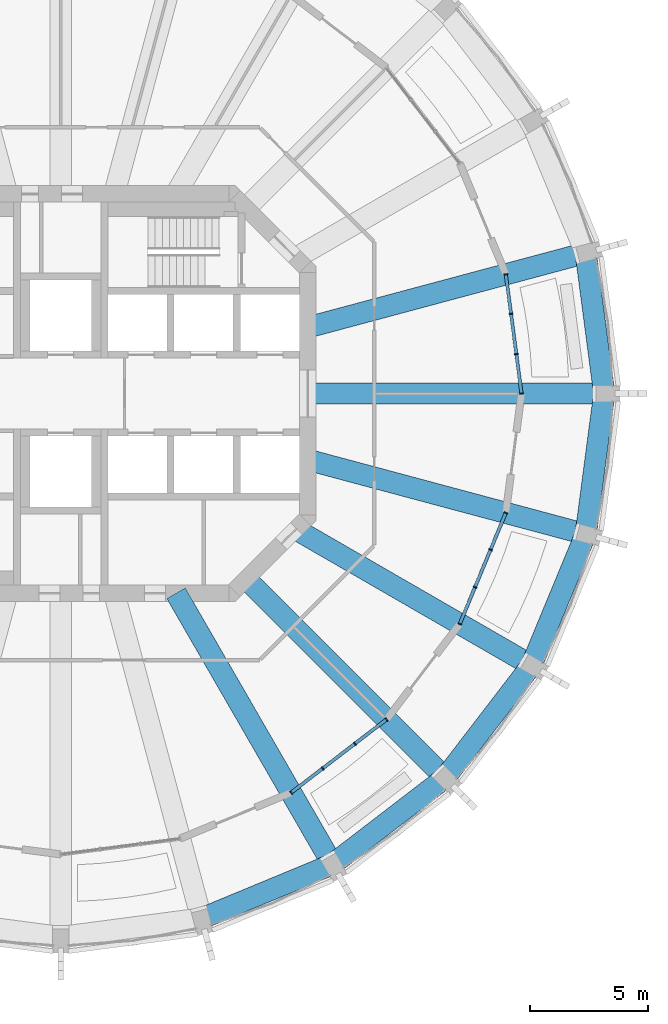
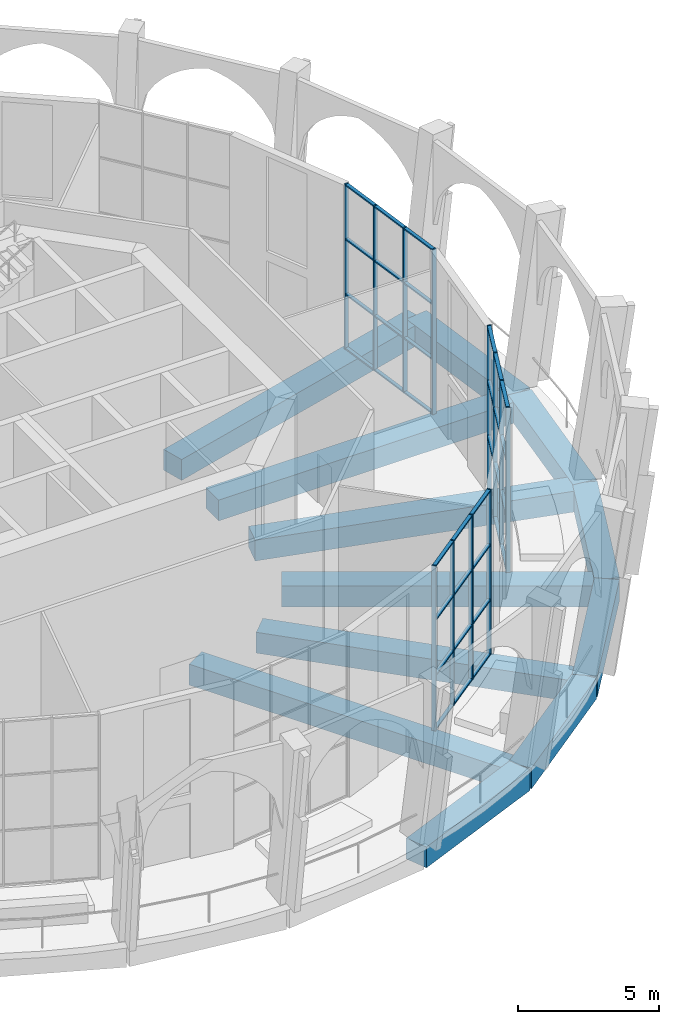
# One storey, part 4 of 16: 48 members, 12 beams, 3 elements without a shape of their own.
"""IFC4 building model written with IfcOpenShell, lengths in metres."""

from ifc_helpers import new_model, si_unit, direction, frame, origin, origin_2d, place, context, subcontext, project, spatial, rectangle, extrude, material, material_profile, profile_set, type_object, element, aggregate, save


model = new_model("IFC4")

# Units and contexts
model_context = context("Model", 3, precision=1e-05, world=origin(), true_north=direction((0.0, 1.0)))
body_context = subcontext(model_context, "Body", "Model", "MODEL_VIEW")
ifc_project = project(units=[si_unit("LENGTHUNIT", "METRE"), si_unit("AREAUNIT", "SQUARE_METRE"), si_unit("VOLUMEUNIT", "CUBIC_METRE"), si_unit("PLANEANGLEUNIT", "RADIAN"), si_unit("MASSUNIT", "GRAM", prefix="KILO")], contexts=[model_context])

# Site, building, storey
site_placement = place(None, origin())
site = spatial("IfcSite", under=ifc_project, at=site_placement, CompositionType="ELEMENT")
building_placement = place(site_placement, origin())
building = spatial("IfcBuilding", under=site, at=building_placement, Name="Torre Triforio", CompositionType="ELEMENT")
storey_placement = place(building_placement, frame((0.0, 0.0, 218.699951171875)))
storey = spatial("IfcBuildingStorey", under=building, at=storey_placement, Name="L50", CompositionType="ELEMENT", Elevation=218.699951171875)

# Curtain wall, members
ifc_material_1 = material(Name="Aluminium mullion and transom frame with clear laminated glass", Category="aluminium")
curtain_wall_type = type_object("IfcCurtainWallType", Name="Sky garden conservatory wall ECW3", PredefinedType="NOTDEFINED", material=ifc_material_1)
curtain_wall_1_placement = place(storey_placement, origin())
curtain_wall_1 = element("IfcCurtainWall", 1, at=curtain_wall_1_placement, inside=storey, type_object=curtain_wall_type, Name="Conservatory wall L50 bay 01", PredefinedType="NOTDEFINED")
ifc_material_2 = material(Name="Anodised aluminium extrusion", Category="aluminium")
ifc_material_profile_1 = material_profile(ifc_material_2, rectangle(XDim=0.159912109375, YDim=0.06005859375, at=origin_2d()), Name="ECW3 MULLION 60x160")
ifc_profile_set_1 = profile_set([ifc_material_profile_1], Name="Anodised aluminium extrusion")
member_type_1 = type_object("IfcMemberType", Name="ECW3 mullion 60 x 160", PredefinedType="MULLION", material=ifc_profile_set_1)
member_1_placement = place(storey_placement, frame((19.5, 0.0, 0.0), z_axis=(0.0, 0.0, 1.0), x_axis=(-0.991444115465, -0.130531857834, 0.0)))
member_1 = element("IfcMember", 2, at=member_1_placement, type_object=member_type_1, Name="ECW3 mullion 1", PredefinedType="MULLION", context=body_context, shape_type="SweptSolid", body=[
    extrude(rectangle(XDim=0.159912109375, YDim=0.06005859375, at=origin_2d()), origin(), (0.0, 0.0, 1.0), 7.1201171875),
])
member_2_placement = place(storey_placement, frame((19.27978515625, 1.67236328125, 0.0), z_axis=(0.0, 0.0, 1.0), x_axis=(-0.991444115465, -0.130531857834, 0.0)))
member_2 = element("IfcMember", 3, at=member_2_placement, type_object=member_type_1, Name="ECW3 mullion 2", PredefinedType="MULLION", context=body_context, shape_type="SweptSolid", body=[
    extrude(rectangle(XDim=0.159912109375, YDim=0.06005859375, at=origin_2d()), origin(), (0.0, 0.0, 1.0), 7.1201171875),
])
member_3_placement = place(storey_placement, frame((19.0556640625, 3.37451171875, 0.0), z_axis=(0.0, 0.0, 1.0), x_axis=(-0.991444115465, -0.130531857834, 0.0)))
member_3 = element("IfcMember", 4, at=member_3_placement, type_object=member_type_1, Name="ECW3 mullion 3", PredefinedType="MULLION", context=body_context, shape_type="SweptSolid", body=[
    extrude(rectangle(XDim=0.159912109375, YDim=0.06005859375, at=origin_2d()), origin(), (0.0, 0.0, 1.0), 7.1201171875),
])
member_4_placement = place(storey_placement, frame((18.83544921875, 5.046875, 0.0), z_axis=(0.0, 0.0, 1.0), x_axis=(-0.991444115465, -0.130531857834, 0.0)))
member_4 = element("IfcMember", 5, at=member_4_placement, type_object=member_type_1, Name="ECW3 mullion 4", PredefinedType="MULLION", context=body_context, shape_type="SweptSolid", body=[
    extrude(rectangle(XDim=0.159912109375, YDim=0.06005859375, at=origin_2d()), origin(), (0.0, 0.0, 1.0), 7.1201171875),
])

curtain_wall_2_placement = place(storey_placement, origin())
curtain_wall_2 = element("IfcCurtainWall", 6, at=curtain_wall_2_placement, inside=storey, type_object=curtain_wall_type, Name="Conservatory wall L50 bay 21", PredefinedType="NOTDEFINED")
member_5_placement = place(storey_placement, frame((9.75, -16.887451171875, 0.0), z_axis=(0.0, 0.0, 1.0), x_axis=(-0.608767351111, 0.793348796067, 0.0)))
member_5 = element("IfcMember", 7, at=member_5_placement, type_object=member_type_1, Name="ECW3 mullion 1", PredefinedType="MULLION", context=body_context, shape_type="SweptSolid", body=[
    extrude(rectangle(XDim=0.159912109375, YDim=0.06005859375, at=origin_2d()), origin(), (0.0, 0.0, 1.0), 7.1201171875),
])
member_6_placement = place(storey_placement, frame((11.08837890625, -15.860595703125, 0.0), z_axis=(0.0, 0.0, 1.0), x_axis=(-0.608767351111, 0.793348796067, 0.0)))
member_6 = element("IfcMember", 8, at=member_6_placement, type_object=member_type_1, Name="ECW3 mullion 2", PredefinedType="MULLION", context=body_context, shape_type="SweptSolid", body=[
    extrude(rectangle(XDim=0.159912109375, YDim=0.06005859375, at=origin_2d()), origin(), (0.0, 0.0, 1.0), 7.1201171875),
])
member_7_placement = place(storey_placement, frame((12.450439453125, -14.8154296875, 0.0), z_axis=(0.0, 0.0, 1.0), x_axis=(-0.608767351111, 0.793348796067, 0.0)))
member_7 = element("IfcMember", 9, at=member_7_placement, type_object=member_type_1, Name="ECW3 mullion 3", PredefinedType="MULLION", context=body_context, shape_type="SweptSolid", body=[
    extrude(rectangle(XDim=0.159912109375, YDim=0.06005859375, at=origin_2d()), origin(), (0.0, 0.0, 1.0), 7.1201171875),
])
member_8_placement = place(storey_placement, frame((13.78857421875, -13.78857421875, 0.0), z_axis=(0.0, 0.0, 1.0), x_axis=(-0.608767351111, 0.793348796067, 0.0)))
member_8 = element("IfcMember", 10, at=member_8_placement, type_object=member_type_1, Name="ECW3 mullion 4", PredefinedType="MULLION", context=body_context, shape_type="SweptSolid", body=[
    extrude(rectangle(XDim=0.159912109375, YDim=0.06005859375, at=origin_2d()), origin(), (0.0, 0.0, 1.0), 7.1201171875),
])

curtain_wall_3_placement = place(storey_placement, origin())
curtain_wall_3 = element("IfcCurtainWall", 11, at=curtain_wall_3_placement, inside=storey, type_object=curtain_wall_type, Name="Conservatory wall L50 bay 23", PredefinedType="NOTDEFINED")
member_9_placement = place(storey_placement, frame((16.887451171875, -9.75, 0.0), z_axis=(0.0, 0.0, 1.0), x_axis=(-0.923879107955, 0.382684457334, 0.0)))
member_9 = element("IfcMember", 12, at=member_9_placement, type_object=member_type_1, Name="ECW3 mullion 1", PredefinedType="MULLION", context=body_context, shape_type="SweptSolid", body=[
    extrude(rectangle(XDim=0.159912109375, YDim=0.06005859375, at=origin_2d()), origin(), (0.0, 0.0, 1.0), 7.1201171875),
])
member_10_placement = place(storey_placement, frame((17.532958984375, -8.191650390625, 0.0), z_axis=(0.0, 0.0, 1.0), x_axis=(-0.923879107955, 0.382684457334, 0.0)))
member_10 = element("IfcMember", 13, at=member_10_placement, type_object=member_type_1, Name="ECW3 mullion 2", PredefinedType="MULLION", context=body_context, shape_type="SweptSolid", body=[
    extrude(rectangle(XDim=0.159912109375, YDim=0.06005859375, at=origin_2d()), origin(), (0.0, 0.0, 1.0), 7.1201171875),
])
member_11_placement = place(storey_placement, frame((18.18994140625, -6.60546875, 0.0), z_axis=(0.0, 0.0, 1.0), x_axis=(-0.923879107955, 0.382684457334, 0.0)))
member_11 = element("IfcMember", 14, at=member_11_placement, type_object=member_type_1, Name="ECW3 mullion 3", PredefinedType="MULLION", context=body_context, shape_type="SweptSolid", body=[
    extrude(rectangle(XDim=0.159912109375, YDim=0.06005859375, at=origin_2d()), origin(), (0.0, 0.0, 1.0), 7.1201171875),
])
member_12_placement = place(storey_placement, frame((18.83544921875, -5.047119140625, 0.0), z_axis=(0.0, 0.0, 1.0), x_axis=(-0.923879107955, 0.382684457334, 0.0)))
member_12 = element("IfcMember", 15, at=member_12_placement, type_object=member_type_1, Name="ECW3 mullion 4", PredefinedType="MULLION", context=body_context, shape_type="SweptSolid", body=[
    extrude(rectangle(XDim=0.159912109375, YDim=0.06005859375, at=origin_2d()), origin(), (0.0, 0.0, 1.0), 7.1201171875),
])

# Member
ifc_material_profile_2 = material_profile(ifc_material_2, rectangle(XDim=0.139892578125, YDim=0.06005859375, at=origin_2d()), Name="ECW3 TRANSOM 60x140")
ifc_profile_set_2 = profile_set([ifc_material_profile_2], Name="Anodised aluminium extrusion")
member_type_2 = type_object("IfcMemberType", Name="ECW3 transom 60 x 140", PredefinedType="USERDEFINED", material=ifc_profile_set_2)
member_13_placement = place(storey_placement, frame((19.49609375, 0.02978515625, 0.030029296875), z_axis=(-0.130570980704, 0.991438963829, 0.0), x_axis=(-0.991438963829, -0.130570980704, 0.0)))
member_13 = element("IfcMember", 16, at=member_13_placement, type_object=member_type_2, Name="ECW3 transom 1.1", ObjectType="TRANSOM", PredefinedType="USERDEFINED", context=body_context, shape_type="SweptSolid", body=[
    extrude(rectangle(XDim=0.139892578125, YDim=0.06005859375, at=origin_2d()), origin(), (0.0, 0.0, 1.0), 1.626708984375),
])

member_14_placement = place(storey_placement, frame((19.49609375, 0.02978515625, 2.373291015625), z_axis=(-0.130570980704, 0.991438963829, 0.0), x_axis=(-0.991438963829, -0.130570980704, 0.0)))
member_14 = element("IfcMember", 17, at=member_14_placement, type_object=member_type_2, Name="ECW3 transom 1.2", ObjectType="TRANSOM", PredefinedType="USERDEFINED", context=body_context, shape_type="SweptSolid", body=[
    extrude(rectangle(XDim=0.139892578125, YDim=0.06005859375, at=origin_2d()), origin(), (0.0, 0.0, 1.0), 1.626708984375),
])

member_15_placement = place(storey_placement, frame((19.49609375, 0.02978515625, 4.746826171875), z_axis=(-0.130570980704, 0.991438963829, 0.0), x_axis=(-0.991438963829, -0.130570980704, 0.0)))
member_15 = element("IfcMember", 18, at=member_15_placement, type_object=member_type_2, Name="ECW3 transom 1.3", ObjectType="TRANSOM", PredefinedType="USERDEFINED", context=body_context, shape_type="SweptSolid", body=[
    extrude(rectangle(XDim=0.139892578125, YDim=0.06005859375, at=origin_2d()), origin(), (0.0, 0.0, 1.0), 1.626708984375),
])

member_16_placement = place(storey_placement, frame((19.49609375, 0.02978515625, 7.090087890625), z_axis=(-0.130570980704, 0.991438963829, 0.0), x_axis=(-0.991438963829, -0.130570980704, 0.0)))
member_16 = element("IfcMember", 19, at=member_16_placement, type_object=member_type_2, Name="ECW3 transom 1.4", ObjectType="TRANSOM", PredefinedType="USERDEFINED", context=body_context, shape_type="SweptSolid", body=[
    extrude(rectangle(XDim=0.139892578125, YDim=0.06005859375, at=origin_2d()), origin(), (0.0, 0.0, 1.0), 1.626708984375),
])

member_17_placement = place(storey_placement, frame((19.27587890625, 1.7021484375, 0.030029296875), z_axis=(-0.130561245228, 0.991440245927, 0.0), x_axis=(-0.991440245927, -0.130561245228, 0.0)))
member_17 = element("IfcMember", 20, at=member_17_placement, type_object=member_type_2, Name="ECW3 transom 2.1", ObjectType="TRANSOM", PredefinedType="USERDEFINED", context=body_context, shape_type="SweptSolid", body=[
    extrude(rectangle(XDim=0.139892578125, YDim=0.06005859375, at=origin_2d()), origin(), (0.0, 0.0, 1.0), 1.65673828125),
])

member_18_placement = place(storey_placement, frame((19.27587890625, 1.7021484375, 2.373291015625), z_axis=(-0.130561245228, 0.991440245927, 0.0), x_axis=(-0.991440245927, -0.130561245228, 0.0)))
member_18 = element("IfcMember", 21, at=member_18_placement, type_object=member_type_2, Name="ECW3 transom 2.2", ObjectType="TRANSOM", PredefinedType="USERDEFINED", context=body_context, shape_type="SweptSolid", body=[
    extrude(rectangle(XDim=0.139892578125, YDim=0.06005859375, at=origin_2d()), origin(), (0.0, 0.0, 1.0), 1.65673828125),
])

member_19_placement = place(storey_placement, frame((19.27587890625, 1.7021484375, 4.746826171875), z_axis=(-0.130561245228, 0.991440245927, 0.0), x_axis=(-0.991440245927, -0.130561245228, 0.0)))
member_19 = element("IfcMember", 22, at=member_19_placement, type_object=member_type_2, Name="ECW3 transom 2.3", ObjectType="TRANSOM", PredefinedType="USERDEFINED", context=body_context, shape_type="SweptSolid", body=[
    extrude(rectangle(XDim=0.139892578125, YDim=0.06005859375, at=origin_2d()), origin(), (0.0, 0.0, 1.0), 1.65673828125),
])

member_20_placement = place(storey_placement, frame((19.27587890625, 1.7021484375, 7.090087890625), z_axis=(-0.130561245228, 0.991440245927, 0.0), x_axis=(-0.991440245927, -0.130561245228, 0.0)))
member_20 = element("IfcMember", 23, at=member_20_placement, type_object=member_type_2, Name="ECW3 transom 2.4", ObjectType="TRANSOM", PredefinedType="USERDEFINED", context=body_context, shape_type="SweptSolid", body=[
    extrude(rectangle(XDim=0.139892578125, YDim=0.06005859375, at=origin_2d()), origin(), (0.0, 0.0, 1.0), 1.65673828125),
])

member_21_placement = place(storey_placement, frame((19.0517578125, 3.404296875, 0.030029296875), z_axis=(-0.130551555034, 0.991441521966, 0.0), x_axis=(-0.991441521966, -0.130551555034, 0.0)))
member_21 = element("IfcMember", 24, at=member_21_placement, type_object=member_type_2, Name="ECW3 transom 3.1", ObjectType="TRANSOM", PredefinedType="USERDEFINED", context=body_context, shape_type="SweptSolid", body=[
    extrude(rectangle(XDim=0.139892578125, YDim=0.06005859375, at=origin_2d()), origin(), (0.0, 0.0, 1.0), 1.626953125),
])

member_22_placement = place(storey_placement, frame((19.0517578125, 3.404296875, 2.373291015625), z_axis=(-0.130551555034, 0.991441521966, 0.0), x_axis=(-0.991441521966, -0.130551555034, 0.0)))
member_22 = element("IfcMember", 25, at=member_22_placement, type_object=member_type_2, Name="ECW3 transom 3.2", ObjectType="TRANSOM", PredefinedType="USERDEFINED", context=body_context, shape_type="SweptSolid", body=[
    extrude(rectangle(XDim=0.139892578125, YDim=0.06005859375, at=origin_2d()), origin(), (0.0, 0.0, 1.0), 1.626953125),
])

member_23_placement = place(storey_placement, frame((19.0517578125, 3.404296875, 4.746826171875), z_axis=(-0.130551555034, 0.991441521966, 0.0), x_axis=(-0.991441521966, -0.130551555034, 0.0)))
member_23 = element("IfcMember", 26, at=member_23_placement, type_object=member_type_2, Name="ECW3 transom 3.3", ObjectType="TRANSOM", PredefinedType="USERDEFINED", context=body_context, shape_type="SweptSolid", body=[
    extrude(rectangle(XDim=0.139892578125, YDim=0.06005859375, at=origin_2d()), origin(), (0.0, 0.0, 1.0), 1.626953125),
])

member_24_placement = place(storey_placement, frame((19.0517578125, 3.404296875, 7.090087890625), z_axis=(-0.130551555034, 0.991441521966, 0.0), x_axis=(-0.991441521966, -0.130551555034, 0.0)))
member_24 = element("IfcMember", 27, at=member_24_placement, type_object=member_type_2, Name="ECW3 transom 3.4", ObjectType="TRANSOM", PredefinedType="USERDEFINED", context=body_context, shape_type="SweptSolid", body=[
    extrude(rectangle(XDim=0.139892578125, YDim=0.06005859375, at=origin_2d()), origin(), (0.0, 0.0, 1.0), 1.626953125),
])

aggregate(curtain_wall_1, [member_1, member_2, member_3, member_4, member_13, member_14, member_15, member_16, member_17, member_18, member_19, member_20, member_21, member_22, member_23, member_24])

member_25_placement = place(storey_placement, frame((9.773681640625, -16.869384765625, 0.030029296875), z_axis=(0.793343033717, 0.608774860562, 0.0), x_axis=(-0.608774860562, 0.793343033717, 0.0)))
member_25 = element("IfcMember", 28, at=member_25_placement, type_object=member_type_2, Name="ECW3 transom 1.1", ObjectType="TRANSOM", PredefinedType="USERDEFINED", context=body_context, shape_type="SweptSolid", body=[
    extrude(rectangle(XDim=0.139892578125, YDim=0.06005859375, at=origin_2d()), origin(), (0.0, 0.0, 1.0), 1.626953125),
])

member_26_placement = place(storey_placement, frame((9.773681640625, -16.869384765625, 2.373291015625), z_axis=(0.793343033717, 0.608774860562, 0.0), x_axis=(-0.608774860562, 0.793343033717, 0.0)))
member_26 = element("IfcMember", 29, at=member_26_placement, type_object=member_type_2, Name="ECW3 transom 1.2", ObjectType="TRANSOM", PredefinedType="USERDEFINED", context=body_context, shape_type="SweptSolid", body=[
    extrude(rectangle(XDim=0.139892578125, YDim=0.06005859375, at=origin_2d()), origin(), (0.0, 0.0, 1.0), 1.626953125),
])

member_27_placement = place(storey_placement, frame((9.773681640625, -16.869384765625, 4.746826171875), z_axis=(0.793343033717, 0.608774860562, 0.0), x_axis=(-0.608774860562, 0.793343033717, 0.0)))
member_27 = element("IfcMember", 30, at=member_27_placement, type_object=member_type_2, Name="ECW3 transom 1.3", ObjectType="TRANSOM", PredefinedType="USERDEFINED", context=body_context, shape_type="SweptSolid", body=[
    extrude(rectangle(XDim=0.139892578125, YDim=0.06005859375, at=origin_2d()), origin(), (0.0, 0.0, 1.0), 1.626953125),
])

member_28_placement = place(storey_placement, frame((9.773681640625, -16.869384765625, 7.090087890625), z_axis=(0.793343033717, 0.608774860562, 0.0), x_axis=(-0.608774860562, 0.793343033717, 0.0)))
member_28 = element("IfcMember", 31, at=member_28_placement, type_object=member_type_2, Name="ECW3 transom 1.4", ObjectType="TRANSOM", PredefinedType="USERDEFINED", context=body_context, shape_type="SweptSolid", body=[
    extrude(rectangle(XDim=0.139892578125, YDim=0.06005859375, at=origin_2d()), origin(), (0.0, 0.0, 1.0), 1.626953125),
])

member_29_placement = place(storey_placement, frame((11.112060546875, -15.84228515625, 0.030029296875), z_axis=(0.793373872129, 0.608734670462, 0.0), x_axis=(-0.608734670462, 0.793373872129, 0.0)))
member_29 = element("IfcMember", 32, at=member_29_placement, type_object=member_type_2, Name="ECW3 transom 2.1", ObjectType="TRANSOM", PredefinedType="USERDEFINED", context=body_context, shape_type="SweptSolid", body=[
    extrude(rectangle(XDim=0.139892578125, YDim=0.06005859375, at=origin_2d()), origin(), (0.0, 0.0, 1.0), 1.65673828125),
])

member_30_placement = place(storey_placement, frame((11.112060546875, -15.84228515625, 2.373291015625), z_axis=(0.793373872129, 0.608734670462, 0.0), x_axis=(-0.608734670462, 0.793373872129, 0.0)))
member_30 = element("IfcMember", 33, at=member_30_placement, type_object=member_type_2, Name="ECW3 transom 2.2", ObjectType="TRANSOM", PredefinedType="USERDEFINED", context=body_context, shape_type="SweptSolid", body=[
    extrude(rectangle(XDim=0.139892578125, YDim=0.06005859375, at=origin_2d()), origin(), (0.0, 0.0, 1.0), 1.65673828125),
])

member_31_placement = place(storey_placement, frame((11.112060546875, -15.84228515625, 4.746826171875), z_axis=(0.793373872129, 0.608734670462, 0.0), x_axis=(-0.608734670462, 0.793373872129, 0.0)))
member_31 = element("IfcMember", 34, at=member_31_placement, type_object=member_type_2, Name="ECW3 transom 2.3", ObjectType="TRANSOM", PredefinedType="USERDEFINED", context=body_context, shape_type="SweptSolid", body=[
    extrude(rectangle(XDim=0.139892578125, YDim=0.06005859375, at=origin_2d()), origin(), (0.0, 0.0, 1.0), 1.65673828125),
])

member_32_placement = place(storey_placement, frame((11.112060546875, -15.84228515625, 7.090087890625), z_axis=(0.793373872129, 0.608734670462, 0.0), x_axis=(-0.608734670462, 0.793373872129, 0.0)))
member_32 = element("IfcMember", 35, at=member_32_placement, type_object=member_type_2, Name="ECW3 transom 2.4", ObjectType="TRANSOM", PredefinedType="USERDEFINED", context=body_context, shape_type="SweptSolid", body=[
    extrude(rectangle(XDim=0.139892578125, YDim=0.06005859375, at=origin_2d()), origin(), (0.0, 0.0, 1.0), 1.65673828125),
])

member_33_placement = place(storey_placement, frame((12.47412109375, -14.797119140625, 0.030029296875), z_axis=(0.793415506578, 0.60868040376, 0.0), x_axis=(-0.60868040376, 0.793415506578, 0.0)))
member_33 = element("IfcMember", 36, at=member_33_placement, type_object=member_type_2, Name="ECW3 transom 3.1", ObjectType="TRANSOM", PredefinedType="USERDEFINED", context=body_context, shape_type="SweptSolid", body=[
    extrude(rectangle(XDim=0.139892578125, YDim=0.06005859375, at=origin_2d()), origin(), (0.0, 0.0, 1.0), 1.626953125),
])

member_34_placement = place(storey_placement, frame((12.47412109375, -14.797119140625, 2.373291015625), z_axis=(0.793415506578, 0.60868040376, 0.0), x_axis=(-0.60868040376, 0.793415506578, 0.0)))
member_34 = element("IfcMember", 37, at=member_34_placement, type_object=member_type_2, Name="ECW3 transom 3.2", ObjectType="TRANSOM", PredefinedType="USERDEFINED", context=body_context, shape_type="SweptSolid", body=[
    extrude(rectangle(XDim=0.139892578125, YDim=0.06005859375, at=origin_2d()), origin(), (0.0, 0.0, 1.0), 1.626953125),
])

member_35_placement = place(storey_placement, frame((12.47412109375, -14.797119140625, 4.746826171875), z_axis=(0.793415506578, 0.60868040376, 0.0), x_axis=(-0.60868040376, 0.793415506578, 0.0)))
member_35 = element("IfcMember", 38, at=member_35_placement, type_object=member_type_2, Name="ECW3 transom 3.3", ObjectType="TRANSOM", PredefinedType="USERDEFINED", context=body_context, shape_type="SweptSolid", body=[
    extrude(rectangle(XDim=0.139892578125, YDim=0.06005859375, at=origin_2d()), origin(), (0.0, 0.0, 1.0), 1.626953125),
])

member_36_placement = place(storey_placement, frame((12.47412109375, -14.797119140625, 7.090087890625), z_axis=(0.793415506578, 0.60868040376, 0.0), x_axis=(-0.60868040376, 0.793415506578, 0.0)))
member_36 = element("IfcMember", 39, at=member_36_placement, type_object=member_type_2, Name="ECW3 transom 3.4", ObjectType="TRANSOM", PredefinedType="USERDEFINED", context=body_context, shape_type="SweptSolid", body=[
    extrude(rectangle(XDim=0.139892578125, YDim=0.06005859375, at=origin_2d()), origin(), (0.0, 0.0, 1.0), 1.626953125),
])

aggregate(curtain_wall_2, [member_5, member_6, member_7, member_8, member_25, member_26, member_27, member_28, member_29, member_30, member_31, member_32, member_33, member_34, member_35, member_36])

member_37_placement = place(storey_placement, frame((16.89892578125, -9.72216796875, 0.030029296875), z_axis=(0.382696410016, 0.923874156886, 0.0), x_axis=(-0.923874156886, 0.382696410016, 0.0)))
member_37 = element("IfcMember", 40, at=member_37_placement, type_object=member_type_2, Name="ECW3 transom 1.1", ObjectType="TRANSOM", PredefinedType="USERDEFINED", context=body_context, shape_type="SweptSolid", body=[
    extrude(rectangle(XDim=0.139892578125, YDim=0.06005859375, at=origin_2d()), origin(), (0.0, 0.0, 1.0), 1.626708984375),
])

member_38_placement = place(storey_placement, frame((16.89892578125, -9.72216796875, 2.373291015625), z_axis=(0.382696410016, 0.923874156886, 0.0), x_axis=(-0.923874156886, 0.382696410016, 0.0)))
member_38 = element("IfcMember", 41, at=member_38_placement, type_object=member_type_2, Name="ECW3 transom 1.2", ObjectType="TRANSOM", PredefinedType="USERDEFINED", context=body_context, shape_type="SweptSolid", body=[
    extrude(rectangle(XDim=0.139892578125, YDim=0.06005859375, at=origin_2d()), origin(), (0.0, 0.0, 1.0), 1.626708984375),
])

member_39_placement = place(storey_placement, frame((16.89892578125, -9.72216796875, 4.746826171875), z_axis=(0.382696410016, 0.923874156886, 0.0), x_axis=(-0.923874156886, 0.382696410016, 0.0)))
member_39 = element("IfcMember", 42, at=member_39_placement, type_object=member_type_2, Name="ECW3 transom 1.3", ObjectType="TRANSOM", PredefinedType="USERDEFINED", context=body_context, shape_type="SweptSolid", body=[
    extrude(rectangle(XDim=0.139892578125, YDim=0.06005859375, at=origin_2d()), origin(), (0.0, 0.0, 1.0), 1.626708984375),
])

member_40_placement = place(storey_placement, frame((16.89892578125, -9.72216796875, 7.090087890625), z_axis=(0.382696410016, 0.923874156886, 0.0), x_axis=(-0.923874156886, 0.382696410016, 0.0)))
member_40 = element("IfcMember", 43, at=member_40_placement, type_object=member_type_2, Name="ECW3 transom 1.4", ObjectType="TRANSOM", PredefinedType="USERDEFINED", context=body_context, shape_type="SweptSolid", body=[
    extrude(rectangle(XDim=0.139892578125, YDim=0.06005859375, at=origin_2d()), origin(), (0.0, 0.0, 1.0), 1.626708984375),
])

member_41_placement = place(storey_placement, frame((17.54443359375, -8.163818359375, 0.030029296875), z_axis=(0.382668460997, 0.923885733713, 0.0), x_axis=(-0.923885733713, 0.382668460997, 0.0)))
member_41 = element("IfcMember", 44, at=member_41_placement, type_object=member_type_2, Name="ECW3 transom 2.1", ObjectType="TRANSOM", PredefinedType="USERDEFINED", context=body_context, shape_type="SweptSolid", body=[
    extrude(rectangle(XDim=0.139892578125, YDim=0.06005859375, at=origin_2d()), origin(), (0.0, 0.0, 1.0), 1.656982421875),
])

member_42_placement = place(storey_placement, frame((17.54443359375, -8.163818359375, 2.373291015625), z_axis=(0.382668460997, 0.923885733713, 0.0), x_axis=(-0.923885733713, 0.382668460997, 0.0)))
member_42 = element("IfcMember", 45, at=member_42_placement, type_object=member_type_2, Name="ECW3 transom 2.2", ObjectType="TRANSOM", PredefinedType="USERDEFINED", context=body_context, shape_type="SweptSolid", body=[
    extrude(rectangle(XDim=0.139892578125, YDim=0.06005859375, at=origin_2d()), origin(), (0.0, 0.0, 1.0), 1.656982421875),
])

member_43_placement = place(storey_placement, frame((17.54443359375, -8.163818359375, 4.746826171875), z_axis=(0.382668460997, 0.923885733713, 0.0), x_axis=(-0.923885733713, 0.382668460997, 0.0)))
member_43 = element("IfcMember", 46, at=member_43_placement, type_object=member_type_2, Name="ECW3 transom 2.3", ObjectType="TRANSOM", PredefinedType="USERDEFINED", context=body_context, shape_type="SweptSolid", body=[
    extrude(rectangle(XDim=0.139892578125, YDim=0.06005859375, at=origin_2d()), origin(), (0.0, 0.0, 1.0), 1.656982421875),
])

member_44_placement = place(storey_placement, frame((17.54443359375, -8.163818359375, 7.090087890625), z_axis=(0.382668460997, 0.923885733713, 0.0), x_axis=(-0.923885733713, 0.382668460997, 0.0)))
member_44 = element("IfcMember", 47, at=member_44_placement, type_object=member_type_2, Name="ECW3 transom 2.4", ObjectType="TRANSOM", PredefinedType="USERDEFINED", context=body_context, shape_type="SweptSolid", body=[
    extrude(rectangle(XDim=0.139892578125, YDim=0.06005859375, at=origin_2d()), origin(), (0.0, 0.0, 1.0), 1.656982421875),
])

member_45_placement = place(storey_placement, frame((18.201416015625, -6.57763671875, 0.030029296875), z_axis=(0.382696410016, 0.923874156886, 0.0), x_axis=(-0.923874156886, 0.382696410016, 0.0)))
member_45 = element("IfcMember", 48, at=member_45_placement, type_object=member_type_2, Name="ECW3 transom 3.1", ObjectType="TRANSOM", PredefinedType="USERDEFINED", context=body_context, shape_type="SweptSolid", body=[
    extrude(rectangle(XDim=0.139892578125, YDim=0.06005859375, at=origin_2d()), origin(), (0.0, 0.0, 1.0), 1.626708984375),
])

member_46_placement = place(storey_placement, frame((18.201416015625, -6.57763671875, 2.373291015625), z_axis=(0.382696410016, 0.923874156886, 0.0), x_axis=(-0.923874156886, 0.382696410016, 0.0)))
member_46 = element("IfcMember", 49, at=member_46_placement, type_object=member_type_2, Name="ECW3 transom 3.2", ObjectType="TRANSOM", PredefinedType="USERDEFINED", context=body_context, shape_type="SweptSolid", body=[
    extrude(rectangle(XDim=0.139892578125, YDim=0.06005859375, at=origin_2d()), origin(), (0.0, 0.0, 1.0), 1.626708984375),
])

member_47_placement = place(storey_placement, frame((18.201416015625, -6.57763671875, 4.746826171875), z_axis=(0.382696410016, 0.923874156886, 0.0), x_axis=(-0.923874156886, 0.382696410016, 0.0)))
member_47 = element("IfcMember", 50, at=member_47_placement, type_object=member_type_2, Name="ECW3 transom 3.3", ObjectType="TRANSOM", PredefinedType="USERDEFINED", context=body_context, shape_type="SweptSolid", body=[
    extrude(rectangle(XDim=0.139892578125, YDim=0.06005859375, at=origin_2d()), origin(), (0.0, 0.0, 1.0), 1.626708984375),
])

member_48_placement = place(storey_placement, frame((18.201416015625, -6.57763671875, 7.090087890625), z_axis=(0.382696410016, 0.923874156886, 0.0), x_axis=(-0.923874156886, 0.382696410016, 0.0)))
member_48 = element("IfcMember", 51, at=member_48_placement, type_object=member_type_2, Name="ECW3 transom 3.4", ObjectType="TRANSOM", PredefinedType="USERDEFINED", context=body_context, shape_type="SweptSolid", body=[
    extrude(rectangle(XDim=0.139892578125, YDim=0.06005859375, at=origin_2d()), origin(), (0.0, 0.0, 1.0), 1.626708984375),
])

aggregate(curtain_wall_3, [member_9, member_10, member_11, member_12, member_37, member_38, member_39, member_40, member_41, member_42, member_43, member_44, member_45, member_46, member_47, member_48])

# Beams
ifc_material_3 = material(Name="Concrete C40", Category="concrete")
ifc_material_profile_3 = material_profile(ifc_material_3, rectangle(XDim=0.89990234375, YDim=0.89990234375, at=origin_2d()), Name="RC 900x900")
ifc_profile_set_3 = profile_set([ifc_material_profile_3], Name="Concrete C40")
beam_type_1 = type_object("IfcBeamType", Name="Radial beam RC 900x900 C40", PredefinedType="BEAM", material=ifc_profile_set_3)
beam_1_placement = place(storey_placement, frame((10.449951171875, 0.0, -0.72998046875), z_axis=(1.0, 0.0, 0.0), x_axis=(0.0, 1.0, 0.0)))
element("IfcBeam", 52, at=beam_1_placement, inside=storey, type_object=beam_type_1, Name="BM.R.L50.00", PredefinedType="BEAM", context=body_context, shape_type="SweptSolid", body=[
    extrude(rectangle(XDim=0.89990234375, YDim=0.89990234375, at=origin_2d()), origin(), (0.0, 0.0, 1.0), 12.550048828125),
])
beam_2_placement = place(storey_placement, frame((10.449951171875, 2.800048828125, -0.72998046875), z_axis=(0.965924880947, 0.258822573141, 0.0), x_axis=(-0.258822573141, 0.965924880947, 0.0)))
element("IfcBeam", 53, at=beam_2_placement, inside=storey, type_object=beam_type_1, Name="BM.R.L50.01", PredefinedType="BEAM", context=body_context, shape_type="SweptSolid", body=[
    extrude(rectangle(XDim=0.89990234375, YDim=0.89990234375, at=origin_2d()), origin(), (0.0, 0.0, 1.0), 12.181396484375),
])
beam_3_placement = place(storey_placement, frame((4.878662109375, -8.449951171875, -0.72998046875), z_axis=(0.499991617607, -0.866030243307, 0.0), x_axis=(0.866030243307, 0.499991617607, 0.0)))
element("IfcBeam", 54, at=beam_3_placement, inside=storey, type_object=beam_type_1, Name="BM.R.L50.20", PredefinedType="BEAM", context=body_context, shape_type="SweptSolid", body=[
    extrude(rectangle(XDim=0.89990234375, YDim=0.89990234375, at=origin_2d()), origin(), (0.0, 0.0, 1.0), 13.242919921875),
])
beam_4_placement = place(storey_placement, frame((7.847412109375, -7.847412109375, -0.72998046875), z_axis=(0.707106781187, -0.707106781187, 0.0), x_axis=(0.707106781187, 0.707106781187, 0.0)))
element("IfcBeam", 55, at=beam_4_placement, inside=storey, type_object=beam_type_1, Name="BM.R.L50.21", PredefinedType="BEAM", context=body_context, shape_type="SweptSolid", body=[
    extrude(rectangle(XDim=0.89990234375, YDim=0.89990234375, at=origin_2d()), origin(), (0.0, 0.0, 1.0), 11.902099609375),
])
beam_5_placement = place(storey_placement, frame((9.9501953125, -5.744873046875, -0.72998046875), z_axis=(0.866032648629, -0.499987451351, 0.0), x_axis=(0.499987451351, 0.866032648629, 0.0)))
element("IfcBeam", 56, at=beam_5_placement, inside=storey, type_object=beam_type_1, Name="BM.R.L50.22", PredefinedType="BEAM", context=body_context, shape_type="SweptSolid", body=[
    extrude(rectangle(XDim=0.89990234375, YDim=0.89990234375, at=origin_2d()), origin(), (0.0, 0.0, 1.0), 11.510498046875),
])
beam_6_placement = place(storey_placement, frame((10.449951171875, -2.800048828125, -0.72998046875), z_axis=(0.965924880947, -0.258822573141, 0.0), x_axis=(0.258822573141, 0.965924880947, 0.0)))
element("IfcBeam", 57, at=beam_6_placement, inside=storey, type_object=beam_type_1, Name="BM.R.L50.23", PredefinedType="BEAM", context=body_context, shape_type="SweptSolid", body=[
    extrude(rectangle(XDim=0.89990234375, YDim=0.89990234375, at=origin_2d()), origin(), (0.0, 0.0, 1.0), 12.181396484375),
])
ifc_material_profile_4 = material_profile(ifc_material_3, rectangle(XDim=0.89990234375, YDim=0.89990234375, at=origin_2d()), Name="RC 900x900")
ifc_profile_set_4 = profile_set([ifc_material_profile_4], Name="Concrete C40")
beam_type_2 = type_object("IfcBeamType", Name="Spandrel beam RC 900x900 C40", PredefinedType="SPANDREL", material=ifc_profile_set_4)
for number, where, z_axis, x_axis, name in (
    (58, (23.0, 0.0, -0.72998046875), (-0.130522880875, 0.991445297315, 0.0), (-0.991445297315, -0.130522880875, 0.0), "BM.S.L50.00"),
    (59, (5.952880859375, -22.21630859375, -0.72998046875), (0.923884511653, 0.382671411433, 0.0), (-0.382671411433, 0.923884511653, 0.0), "BM.S.L50.19"),
    (60, (11.5, -19.918701171875, -0.72998046875), (0.793339924758, 0.608778912074, 0.0), (-0.608778912074, 0.793339924758, 0.0), "BM.S.L50.20"),
    (61, (16.263427734375, -16.263427734375, -0.72998046875), (0.608778912074, 0.793339924758, 0.0), (-0.793339924758, 0.608778912074, 0.0), "BM.S.L50.21"),
    (62, (19.918701171875, -11.5, -0.72998046875), (0.382671411433, 0.923884511653, 0.0), (-0.923884511653, 0.382671411433, 0.0), "BM.S.L50.22"),
    (63, (22.21630859375, -5.952880859375, -0.72998046875), (0.130522880875, 0.991445297315, 0.0), (-0.991445297315, 0.130522880875, 0.0), "BM.S.L50.23"),
):
    element("IfcBeam", number, at=place(storey_placement, frame(where, z_axis=z_axis, x_axis=x_axis)), inside=storey, type_object=beam_type_2, Name=name, PredefinedType="SPANDREL", context=body_context, shape_type="SweptSolid", body=[
        extrude(rectangle(XDim=0.89990234375, YDim=0.89990234375, at=origin_2d()), origin(), (0.0, 0.0, 1.0), 6.004150390625),
    ])

save(model, "model.ifc")
